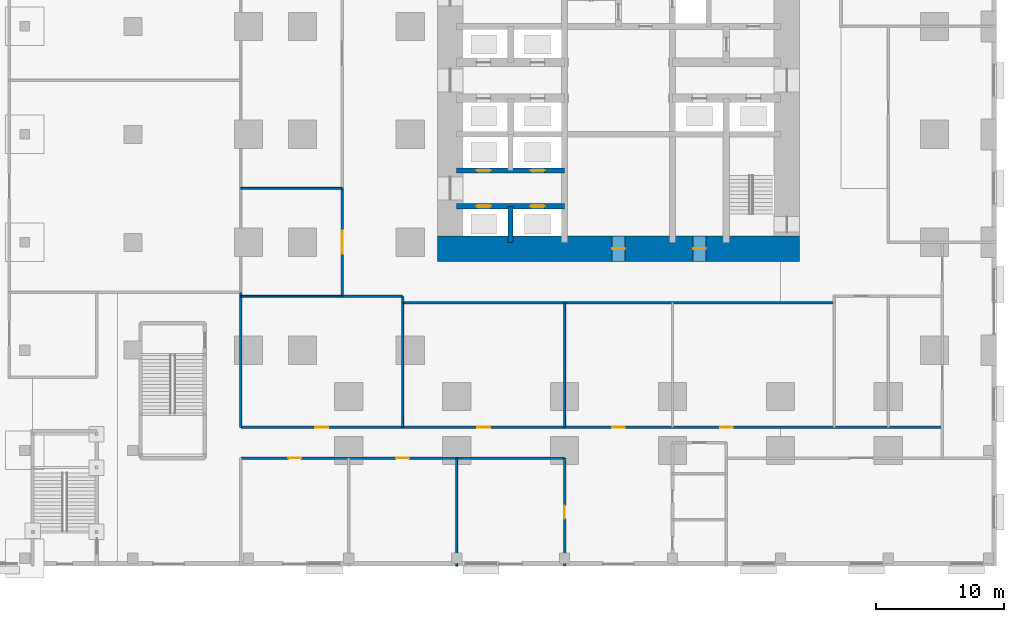
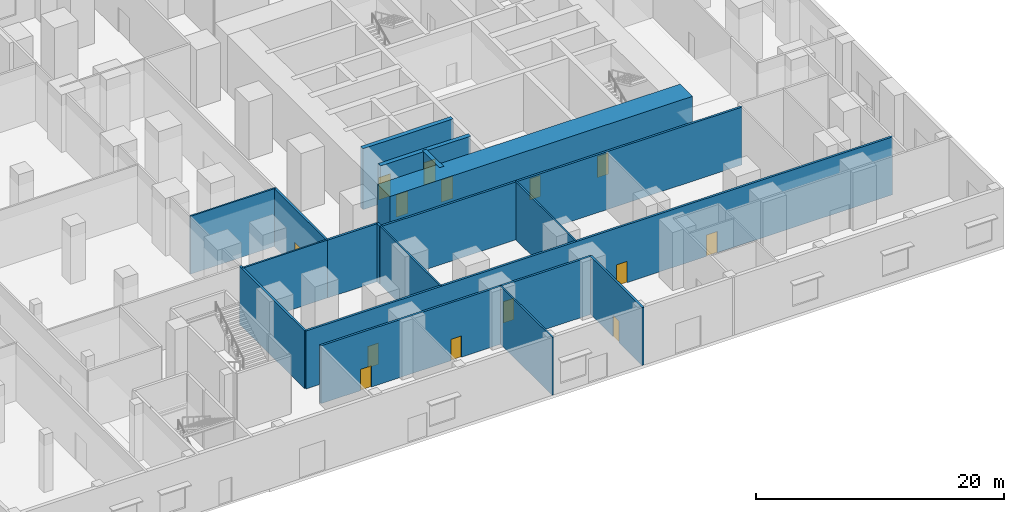
# One storey, part 16 of 26: 17 walls, 14 doors, 14 openings.
"""IFC4 building model written with IfcOpenShell, lengths in metres."""

from ifc_helpers import new_model, si_unit, direction, frame, frame_2d, origin, origin_with_axes, place, context, subcontext, project, spatial, rectangle, extrude, material, layer, layer_set, type_object, element, fill, save


model = new_model("IFC4")

# Units and contexts
model_context = context("Model", 3, precision=1e-05, world=origin(), true_north=direction((0.0, 1.0)))
body_context = subcontext(model_context, "Body", "Model", "MODEL_VIEW")
ifc_project = project(units=[si_unit("LENGTHUNIT", "METRE"), si_unit("AREAUNIT", "SQUARE_METRE"), si_unit("VOLUMEUNIT", "CUBIC_METRE"), si_unit("PLANEANGLEUNIT", "RADIAN"), si_unit("MASSUNIT", "GRAM", prefix="KILO")], contexts=[model_context])

# Site, building, storey
site_placement = place(None, origin())
site = spatial("IfcSite", under=ifc_project, at=site_placement, CompositionType="ELEMENT")
building_placement = place(site_placement, origin())
building = spatial("IfcBuilding", under=site, at=building_placement, Name="Dunama Terrace Hotel", CompositionType="ELEMENT")
storey_placement = place(building_placement, origin())
storey = spatial("IfcBuildingStorey", under=building, at=storey_placement, Name="L00", CompositionType="ELEMENT", Elevation=0.0)

# Wall
ifc_material_1 = material(Name="Concrete C50/60", Category="concrete")
ifc_layer_1 = layer(ifc_material_1, 0.39990234375)
ifc_layer_set_1 = layer_set([ifc_layer_1], Name="Core inner wall 400")
wall_type_1 = type_object("IfcWallType", Name="Core inner wall 400", PredefinedType="SHEAR", material=ifc_layer_set_1)
wall_1_placement = place(storey_placement, frame((21.0, 16.800048828125, -0.300048828125), z_axis=(0.0, 0.0, 1.0), x_axis=(0.0, 1.0, 0.0)))
element("IfcWall", 1, at=wall_1_placement, inside=storey, type_object=wall_type_1, Name="Core inner wall 400 L00", PredefinedType="SHEAR", context=body_context, shape_type="SweptSolid", body=[
    extrude(rectangle(XDim=2.800048828125, YDim=0.39990234375, at=frame_2d((1.39990234375, 0.0))), origin(), (0.0, 0.0, 1.0), 6.0),
])

# Wall, openings, doors
wall_2_placement = place(storey_placement, frame((16.800048828125, 19.60009765625, -0.300048828125), z_axis=(0.0, 0.0, 1.0), x_axis=(1.0, 0.0, 0.0)))
wall_2 = element("IfcWall", 2, at=wall_2_placement, inside=storey, type_object=wall_type_1, Name="Core inner wall 400 L00", PredefinedType="SHEAR", context=body_context, shape_type="SweptSolid", body=[
    extrude(rectangle(XDim=8.39990234375, YDim=0.39990234375, at=frame_2d((4.199951171875, 0.0))), origin(), (0.0, 0.0, 1.0), 6.0),
])
opening_1_placement = place(wall_2_placement, frame((1.550048828125, 0.0, 0.300048828125)))
opening_1 = element("IfcOpeningElement", 3, at=opening_1_placement, cuts=wall_2, Name="Opening L00-034", PredefinedType="OPENING", context=body_context, shape_type="SweptSolid", body=[
    extrude(rectangle(XDim=1.10009765625, YDim=2.199951171875, at=frame_2d((0.550048828125, 1.10009765625))), frame((0.0, 0.2099609375, 0.0), z_axis=(0.0, -1.0, 0.0), x_axis=(1.0, 0.0, 0.0)), (0.0, 0.0, 1.0), 0.419921875),
])
opening_2_placement = place(wall_2_placement, frame((5.75, 0.0, 0.300048828125)))
opening_2 = element("IfcOpeningElement", 4, at=opening_2_placement, cuts=wall_2, Name="Opening L00-035", PredefinedType="OPENING", context=body_context, shape_type="SweptSolid", body=[
    extrude(rectangle(XDim=1.10009765625, YDim=2.199951171875, at=frame_2d((0.550048828125, 1.10009765625))), frame((0.0, 0.2099609375, 0.0), z_axis=(0.0, -1.0, 0.0), x_axis=(1.0, 0.0, 0.0)), (0.0, 0.0, 1.0), 0.419921875),
])
ifc_material_2 = material(Name="Stainless steel lift door", Category="steel")
door_type_1 = type_object("IfcDoorType", Name="Lift landing door 1100", OperationType="DOUBLE_DOOR_SLIDING", PredefinedType="DOOR", material=ifc_material_2)
door_1_placement = place(opening_1_placement, origin())
door_1 = element("IfcDoor", 5, at=door_1_placement, inside=storey, type_object=door_type_1, Name="Landing door PS1 L00-034, type LD1", OperationType="DOUBLE_DOOR_SLIDING", OverallHeight=2.199951171875, OverallWidth=1.10009765625, PredefinedType="DOOR", context=body_context, shape_type="SweptSolid", body=[
    extrude(rectangle(XDim=1.10009765625, YDim=2.199951171875, at=frame_2d((0.550048828125, 1.10009765625))), frame((0.0, 0.02490234375, 0.0), z_axis=(0.0, -1.0, 0.0), x_axis=(1.0, 0.0, 0.0)), (0.0, 0.0, 1.0), 0.050048828125),
])
fill(opening_1, door_1)
door_2_placement = place(opening_2_placement, origin())
door_2 = element("IfcDoor", 6, at=door_2_placement, inside=storey, type_object=door_type_1, Name="Landing door PS2 L00-035, type LD1", OperationType="DOUBLE_DOOR_SLIDING", OverallHeight=2.199951171875, OverallWidth=1.10009765625, PredefinedType="DOOR", context=body_context, shape_type="SweptSolid", body=[
    extrude(rectangle(XDim=1.10009765625, YDim=2.199951171875, at=frame_2d((0.550048828125, 1.10009765625))), frame((0.0, 0.02490234375, 0.0), z_axis=(0.0, -1.0, 0.0), x_axis=(1.0, 0.0, 0.0)), (0.0, 0.0, 1.0), 0.050048828125),
])
fill(opening_2, door_2)

wall_3_placement = place(storey_placement, frame((16.800048828125, 22.39990234375, -0.300048828125), z_axis=(0.0, 0.0, 1.0), x_axis=(1.0, 0.0, 0.0)))
wall_3 = element("IfcWall", 7, at=wall_3_placement, inside=storey, type_object=wall_type_1, Name="Core inner wall 400 L00", PredefinedType="SHEAR", context=body_context, shape_type="SweptSolid", body=[
    extrude(rectangle(XDim=8.39990234375, YDim=0.39990234375, at=frame_2d((4.199951171875, 0.0))), origin(), (0.0, 0.0, 1.0), 6.0),
])
opening_3_placement = place(wall_3_placement, frame((1.550048828125, 0.0, 0.300048828125)))
opening_3 = element("IfcOpeningElement", 8, at=opening_3_placement, cuts=wall_3, Name="Opening L00-036", PredefinedType="OPENING", context=body_context, shape_type="SweptSolid", body=[
    extrude(rectangle(XDim=1.10009765625, YDim=2.199951171875, at=frame_2d((0.550048828125, 1.10009765625))), frame((0.0, 0.2099609375, 0.0), z_axis=(0.0, -1.0, 0.0), x_axis=(1.0, 0.0, 0.0)), (0.0, 0.0, 1.0), 0.419921875),
])
opening_4_placement = place(wall_3_placement, frame((5.75, 0.0, 0.300048828125)))
opening_4 = element("IfcOpeningElement", 9, at=opening_4_placement, cuts=wall_3, Name="Opening L00-037", PredefinedType="OPENING", context=body_context, shape_type="SweptSolid", body=[
    extrude(rectangle(XDim=1.10009765625, YDim=2.199951171875, at=frame_2d((0.550048828125, 1.10009765625))), frame((0.0, 0.2099609375, 0.0), z_axis=(0.0, -1.0, 0.0), x_axis=(1.0, 0.0, 0.0)), (0.0, 0.0, 1.0), 0.419921875),
])
door_3_placement = place(opening_3_placement, origin())
door_3 = element("IfcDoor", 10, at=door_3_placement, inside=storey, type_object=door_type_1, Name="Landing door PS3 L00-036, type LD1", OperationType="DOUBLE_DOOR_SLIDING", OverallHeight=2.199951171875, OverallWidth=1.10009765625, PredefinedType="DOOR", context=body_context, shape_type="SweptSolid", body=[
    extrude(rectangle(XDim=1.10009765625, YDim=2.199951171875, at=frame_2d((0.550048828125, 1.10009765625))), frame((0.0, 0.02490234375, 0.0), z_axis=(0.0, -1.0, 0.0), x_axis=(1.0, 0.0, 0.0)), (0.0, 0.0, 1.0), 0.050048828125),
])
fill(opening_3, door_3)
door_4_placement = place(opening_4_placement, origin())
door_4 = element("IfcDoor", 11, at=door_4_placement, inside=storey, type_object=door_type_1, Name="Landing door PS4 L00-037, type LD1", OperationType="DOUBLE_DOOR_SLIDING", OverallHeight=2.199951171875, OverallWidth=1.10009765625, PredefinedType="DOOR", context=body_context, shape_type="SweptSolid", body=[
    extrude(rectangle(XDim=1.10009765625, YDim=2.199951171875, at=frame_2d((0.550048828125, 1.10009765625))), frame((0.0, 0.02490234375, 0.0), z_axis=(0.0, -1.0, 0.0), x_axis=(1.0, 0.0, 0.0)), (0.0, 0.0, 1.0), 0.050048828125),
])
fill(opening_4, door_4)

ifc_material_3 = material(Name="Concrete C60/75", Category="concrete")
ifc_layer_2 = layer(ifc_material_3, 2.0)
ifc_layer_set_2 = layer_set([ifc_layer_2], Name="Core wall 2000")
wall_type_2 = type_object("IfcWallType", Name="Core wall 2000", PredefinedType="SHEAR", material=ifc_layer_set_2)
wall_4_placement = place(storey_placement, frame((15.300048828125, 16.300048828125, -0.300048828125), z_axis=(0.0, 0.0, 1.0), x_axis=(1.0, 0.0, 0.0)))
wall_4 = element("IfcWall", 12, at=wall_4_placement, inside=storey, type_object=wall_type_2, Name="Core wall south L00", PredefinedType="SHEAR", context=body_context, shape_type="SweptSolid", body=[
    extrude(rectangle(XDim=28.199951171875, YDim=2.0, at=frame_2d((14.10009765625, 0.0))), origin(), (0.0, 0.0, 1.0), 6.0),
])
opening_5_placement = place(wall_4_placement, frame((13.60009765625, 0.0, 0.300048828125)))
opening_5 = element("IfcOpeningElement", 13, at=opening_5_placement, cuts=wall_4, Name="Opening L00-050", PredefinedType="OPENING", context=body_context, shape_type="SweptSolid", body=[
    extrude(rectangle(XDim=1.0, YDim=2.10009765625, at=frame_2d((0.5, 1.050048828125))), frame((0.0, 1.010009765625, 0.0), z_axis=(0.0, -1.0, 0.0), x_axis=(1.0, 0.0, 0.0)), (0.0, 0.0, 1.0), 2.02001953125),
])
opening_6_placement = place(wall_4_placement, frame((19.89990234375, 0.0, 0.300048828125)))
opening_6 = element("IfcOpeningElement", 14, at=opening_6_placement, cuts=wall_4, Name="Opening L00-051", PredefinedType="OPENING", context=body_context, shape_type="SweptSolid", body=[
    extrude(rectangle(XDim=1.0, YDim=2.10009765625, at=frame_2d((0.5, 1.050048828125))), frame((0.0, 1.010009765625, 0.0), z_axis=(0.0, -1.0, 0.0), x_axis=(1.0, 0.0, 0.0)), (0.0, 0.0, 1.0), 2.02001953125),
])
ifc_material_4 = material(Name="Timber door with steel frame", Category="steel")
door_type_2 = type_object("IfcDoorType", Name="Service door 1000", OperationType="SINGLE_SWING_LEFT", PredefinedType="DOOR", material=ifc_material_4)
door_5_placement = place(opening_5_placement, origin())
door_5 = element("IfcDoor", 15, at=door_5_placement, inside=storey, type_object=door_type_2, Name="Door to floor air handling room L00-050, type D7", OperationType="SINGLE_SWING_RIGHT", OverallHeight=2.10009765625, OverallWidth=1.0, PredefinedType="DOOR", context=body_context, shape_type="SweptSolid", body=[
    extrude(rectangle(XDim=1.0, YDim=2.10009765625, at=frame_2d((0.5, 1.050048828125))), frame((0.0, 0.02490234375, 0.0), z_axis=(0.0, -1.0, 0.0), x_axis=(1.0, 0.0, 0.0)), (0.0, 0.0, 1.0), 0.050048828125),
])
fill(opening_5, door_5)
door_6_placement = place(opening_6_placement, origin())
door_6 = element("IfcDoor", 16, at=door_6_placement, inside=storey, type_object=door_type_2, Name="Door to water riser room L00-051, type D7", OperationType="SINGLE_SWING_RIGHT", OverallHeight=2.10009765625, OverallWidth=1.0, PredefinedType="DOOR", context=body_context, shape_type="SweptSolid", body=[
    extrude(rectangle(XDim=1.0, YDim=2.10009765625, at=frame_2d((0.5, 1.050048828125))), frame((0.0, 0.02490234375, 0.0), z_axis=(0.0, -1.0, 0.0), x_axis=(1.0, 0.0, 0.0)), (0.0, 0.0, 1.0), 0.050048828125),
])
fill(opening_6, door_6)

# Wall
ifc_material_5 = material(Name="Concrete blockwork", Category="masonry")
ifc_layer_3 = layer(ifc_material_5, 0.199951171875)
ifc_layer_set_3 = layer_set([ifc_layer_3], Name="Corridor partition 200")
wall_type_3 = type_object("IfcWallType", Name="Corridor partition 200", PredefinedType="PARTITIONING", material=ifc_layer_set_3)
wall_5_placement = place(storey_placement, frame((0.0, 2.39990234375, 0.0), z_axis=(0.0, 0.0, 1.0), x_axis=(0.0, 1.0, 0.0)))
element("IfcWall", 17, at=wall_5_placement, inside=storey, type_object=wall_type_3, Name="Corridor partition 200 L00", PredefinedType="PARTITIONING", context=body_context, shape_type="SweptSolid", body=[
    extrude(rectangle(XDim=10.5, YDim=0.199951171875, at=frame_2d((5.25, 0.0))), origin(), (0.0, 0.0, 1.0), 5.699951171875),
])

# Wall, opening, door
wall_6_placement = place(storey_placement, frame((7.89990234375, 12.60009765625, 0.0), z_axis=(0.0, 0.0, 1.0), x_axis=(0.0, 1.0, 0.0)))
wall_6 = element("IfcWall", 18, at=wall_6_placement, inside=storey, type_object=wall_type_3, Name="Corridor partition 200 L00", PredefinedType="PARTITIONING", context=body_context, shape_type="SweptSolid", body=[
    extrude(rectangle(XDim=8.39990234375, YDim=0.199951171875, at=frame_2d((4.199951171875, 0.0))), origin(), (0.0, 0.0, 1.0), 5.699951171875),
])
opening_7_placement = place(wall_6_placement, frame((3.300048828125, 0.0, 0.0)))
opening_7 = element("IfcOpeningElement", 19, at=opening_7_placement, cuts=wall_6, Name="Opening L00-071", PredefinedType="OPENING", context=body_context, shape_type="SweptSolid", body=[
    extrude(rectangle(XDim=1.800048828125, YDim=2.39990234375, at=frame_2d((0.89990234375, 1.199951171875))), frame((0.0, 0.10986328125, 0.0), z_axis=(0.0, -1.0, 0.0), x_axis=(1.0, 0.0, 0.0)), (0.0, 0.0, 1.0), 0.219970703125),
])
ifc_material_6 = material(Name="Aluminium-framed glazed door", Category="aluminium")
door_type_3 = type_object("IfcDoorType", Name="Glazed double door 1800", OperationType="DOUBLE_DOOR_DOUBLE_SWING", PredefinedType="DOOR", material=ifc_material_6)
door_7_placement = place(opening_7_placement, origin())
door_7 = element("IfcDoor", 20, at=door_7_placement, inside=storey, type_object=door_type_3, Name="Door to patisserie retail shop L00-071, type D8", OperationType="DOUBLE_DOOR_DOUBLE_SWING", OverallHeight=2.39990234375, OverallWidth=1.800048828125, PredefinedType="DOOR", context=body_context, shape_type="SweptSolid", body=[
    extrude(rectangle(XDim=1.800048828125, YDim=2.39990234375, at=frame_2d((0.89990234375, 1.199951171875))), frame((0.0, 0.02490234375, 0.0), z_axis=(0.0, -1.0, 0.0), x_axis=(1.0, 0.0, 0.0)), (0.0, 0.0, 1.0), 0.050048828125),
])
fill(opening_7, door_7)

# Wall
wall_7_placement = place(storey_placement, frame((12.60009765625, 12.10009765625, 0.0), z_axis=(0.0, 0.0, 1.0), x_axis=(0.0, 1.0, 0.0)))
element("IfcWall", 21, at=wall_7_placement, inside=storey, type_object=wall_type_3, Name="Corridor partition 200 L00", PredefinedType="PARTITIONING", context=body_context, shape_type="SweptSolid", body=[
    extrude(rectangle(XDim=0.5, YDim=0.199951171875, at=frame_2d((0.25, 0.0))), origin(), (0.0, 0.0, 1.0), 5.699951171875),
])

# Wall, opening, door
wall_8_placement = place(storey_placement, frame((25.199951171875, -8.39990234375, 0.0), z_axis=(0.0, 0.0, 1.0), x_axis=(0.0, 1.0, 0.0)))
wall_8 = element("IfcWall", 22, at=wall_8_placement, inside=storey, type_object=wall_type_3, Name="Corridor partition 200 L00", PredefinedType="PARTITIONING", context=body_context, shape_type="SweptSolid", body=[
    extrude(rectangle(XDim=8.39990234375, YDim=0.199951171875, at=frame_2d((4.199951171875, 0.0))), origin(), (0.0, 0.0, 1.0), 5.699951171875),
])
opening_8_placement = place(wall_8_placement, frame((3.699951171875, 0.0, 0.0)))
opening_8 = element("IfcOpeningElement", 23, at=opening_8_placement, cuts=wall_8, Name="Opening L00-057", PredefinedType="OPENING", context=body_context, shape_type="SweptSolid", body=[
    extrude(rectangle(XDim=1.0, YDim=2.10009765625, at=frame_2d((0.5, 1.050048828125))), frame((0.0, 0.10986328125, 0.0), z_axis=(0.0, -1.0, 0.0), x_axis=(1.0, 0.0, 0.0)), (0.0, 0.0, 1.0), 0.219970703125),
])
door_8_placement = place(opening_8_placement, origin())
door_8 = element("IfcDoor", 24, at=door_8_placement, inside=storey, type_object=door_type_2, Name="Door to staff entrance and security L00-057, type D7", OperationType="SINGLE_SWING_LEFT", OverallHeight=2.10009765625, OverallWidth=1.0, PredefinedType="DOOR", context=body_context, shape_type="SweptSolid", body=[
    extrude(rectangle(XDim=1.0, YDim=2.10009765625, at=frame_2d((0.5, 1.050048828125))), frame((0.0, 0.02490234375, 0.0), z_axis=(0.0, -1.0, 0.0), x_axis=(1.0, 0.0, 0.0)), (0.0, 0.0, 1.0), 0.050048828125),
])
fill(opening_8, door_8)

# Wall, openings, doors
wall_9_placement = place(storey_placement, origin_with_axes())
wall_9 = element("IfcWall", 25, at=wall_9_placement, inside=storey, type_object=wall_type_3, Name="Corridor partition 200 L00", PredefinedType="PARTITIONING", context=body_context, shape_type="SweptSolid", body=[
    extrude(rectangle(XDim=25.199951171875, YDim=0.199951171875, at=frame_2d((12.60009765625, 0.0))), origin(), (0.0, 0.0, 1.0), 5.699951171875),
])
opening_9_placement = place(wall_9_placement, frame((3.699951171875, 0.0, 0.0)))
opening_9 = element("IfcOpeningElement", 26, at=opening_9_placement, cuts=wall_9, Name="Opening L00-055", PredefinedType="OPENING", context=body_context, shape_type="SweptSolid", body=[
    extrude(rectangle(XDim=1.0, YDim=2.10009765625, at=frame_2d((0.5, 1.050048828125))), frame((0.0, 0.10986328125, 0.0), z_axis=(0.0, -1.0, 0.0), x_axis=(1.0, 0.0, 0.0)), (0.0, 0.0, 1.0), 0.219970703125),
])
opening_10_placement = place(wall_9_placement, frame((12.10009765625, 0.0, 0.0)))
opening_10 = element("IfcOpeningElement", 27, at=opening_10_placement, cuts=wall_9, Name="Opening L00-056", PredefinedType="OPENING", context=body_context, shape_type="SweptSolid", body=[
    extrude(rectangle(XDim=1.0, YDim=2.10009765625, at=frame_2d((0.5, 1.050048828125))), frame((0.0, 0.10986328125, 0.0), z_axis=(0.0, -1.0, 0.0), x_axis=(1.0, 0.0, 0.0)), (0.0, 0.0, 1.0), 0.219970703125),
])
door_9_placement = place(opening_9_placement, frame((1.0, 0.0, 0.0), z_axis=(0.0, 0.0, 1.0), x_axis=(-1.0, 0.0, 0.0)))
door_9 = element("IfcDoor", 28, at=door_9_placement, inside=storey, type_object=door_type_2, Name="Door to fire command centre L00-055, type D7", OperationType="SINGLE_SWING_RIGHT", OverallHeight=2.10009765625, OverallWidth=1.0, PredefinedType="DOOR", context=body_context, shape_type="SweptSolid", body=[
    extrude(rectangle(XDim=1.0, YDim=2.10009765625, at=frame_2d((0.5, 1.050048828125))), frame((0.0, 0.025146484375, 0.0), z_axis=(0.0, -1.0, 0.0), x_axis=(1.0, 0.0, 0.0)), (0.0, 0.0, 1.0), 0.050048828125),
])
fill(opening_9, door_9)
door_10_placement = place(opening_10_placement, frame((1.0, 0.0, 0.0), z_axis=(0.0, 0.0, 1.0), x_axis=(-1.0, 0.0, 0.0)))
door_10 = element("IfcDoor", 29, at=door_10_placement, inside=storey, type_object=door_type_2, Name="Door to luggage store L00-056, type D7", OperationType="SINGLE_SWING_RIGHT", OverallHeight=2.10009765625, OverallWidth=1.0, PredefinedType="DOOR", context=body_context, shape_type="SweptSolid", body=[
    extrude(rectangle(XDim=1.0, YDim=2.10009765625, at=frame_2d((0.5, 1.050048828125))), frame((0.0, 0.025146484375, 0.0), z_axis=(0.0, -1.0, 0.0), x_axis=(1.0, 0.0, 0.0)), (0.0, 0.0, 1.0), 0.050048828125),
])
fill(opening_10, door_10)

wall_10_placement = place(storey_placement, frame((0.0, 2.39990234375, 0.0), z_axis=(0.0, 0.0, 1.0), x_axis=(1.0, 0.0, 0.0)))
wall_10 = element("IfcWall", 30, at=wall_10_placement, inside=storey, type_object=wall_type_3, Name="Corridor partition 200 L00", PredefinedType="PARTITIONING", context=body_context, shape_type="SweptSolid", body=[
    extrude(rectangle(XDim=54.60009765625, YDim=0.199951171875, at=frame_2d((27.300048828125, 0.0))), origin(), (0.0, 0.0, 1.0), 5.699951171875),
])
opening_11_placement = place(wall_10_placement, frame((5.800048828125, 0.0, 0.0)))
opening_11 = element("IfcOpeningElement", 31, at=opening_11_placement, cuts=wall_10, Name="Opening L00-073", PredefinedType="OPENING", context=body_context, shape_type="SweptSolid", body=[
    extrude(rectangle(XDim=1.0, YDim=2.10009765625, at=frame_2d((0.5, 1.050048828125))), frame((0.0, 0.10986328125, 0.0), z_axis=(0.0, -1.0, 0.0), x_axis=(1.0, 0.0, 0.0)), (0.0, 0.0, 1.0), 0.219970703125),
])
opening_12_placement = place(wall_10_placement, frame((18.39990234375, 0.0, 0.0)))
opening_12 = element("IfcOpeningElement", 32, at=opening_12_placement, cuts=wall_10, Name="Opening L00-074", PredefinedType="OPENING", context=body_context, shape_type="SweptSolid", body=[
    extrude(rectangle(XDim=1.0, YDim=2.10009765625, at=frame_2d((0.5, 1.050048828125))), frame((0.0, 0.10986328125, 0.0), z_axis=(0.0, -1.0, 0.0), x_axis=(1.0, 0.0, 0.0)), (0.0, 0.0, 1.0), 0.219970703125),
])
opening_13_placement = place(wall_10_placement, frame((28.89990234375, 0.0, 0.0)))
opening_13 = element("IfcOpeningElement", 33, at=opening_13_placement, cuts=wall_10, Name="Opening L00-075", PredefinedType="OPENING", context=body_context, shape_type="SweptSolid", body=[
    extrude(rectangle(XDim=1.0, YDim=2.10009765625, at=frame_2d((0.5, 1.050048828125))), frame((0.0, 0.10986328125, 0.0), z_axis=(0.0, -1.0, 0.0), x_axis=(1.0, 0.0, 0.0)), (0.0, 0.0, 1.0), 0.219970703125),
])
opening_14_placement = place(wall_10_placement, frame((37.300048828125, 0.0, 0.0)))
opening_14 = element("IfcOpeningElement", 34, at=opening_14_placement, cuts=wall_10, Name="Opening L00-076", PredefinedType="OPENING", context=body_context, shape_type="SweptSolid", body=[
    extrude(rectangle(XDim=1.0, YDim=2.10009765625, at=frame_2d((0.5, 1.050048828125))), frame((0.0, 0.10986328125, 0.0), z_axis=(0.0, -1.0, 0.0), x_axis=(1.0, 0.0, 0.0)), (0.0, 0.0, 1.0), 0.219970703125),
])
door_11_placement = place(opening_11_placement, origin())
door_11 = element("IfcDoor", 35, at=door_11_placement, inside=storey, type_object=door_type_2, Name="Door to concierge office L00-073, type D7", OperationType="SINGLE_SWING_RIGHT", OverallHeight=2.10009765625, OverallWidth=1.0, PredefinedType="DOOR", context=body_context, shape_type="SweptSolid", body=[
    extrude(rectangle(XDim=1.0, YDim=2.10009765625, at=frame_2d((0.5, 1.050048828125))), frame((0.0, 0.02490234375, 0.0), z_axis=(0.0, -1.0, 0.0), x_axis=(1.0, 0.0, 0.0)), (0.0, 0.0, 1.0), 0.050048828125),
])
fill(opening_11, door_11)
door_12_placement = place(opening_12_placement, origin())
door_12 = element("IfcDoor", 36, at=door_12_placement, inside=storey, type_object=door_type_2, Name="Door to guest relations office L00-074, type D7", OperationType="SINGLE_SWING_LEFT", OverallHeight=2.10009765625, OverallWidth=1.0, PredefinedType="DOOR", context=body_context, shape_type="SweptSolid", body=[
    extrude(rectangle(XDim=1.0, YDim=2.10009765625, at=frame_2d((0.5, 1.050048828125))), frame((0.0, 0.02490234375, 0.0), z_axis=(0.0, -1.0, 0.0), x_axis=(1.0, 0.0, 0.0)), (0.0, 0.0, 1.0), 0.050048828125),
])
fill(opening_12, door_12)
door_13_placement = place(opening_13_placement, origin())
door_13 = element("IfcDoor", 37, at=door_13_placement, inside=storey, type_object=door_type_2, Name="Door to tour and travel office L00-075, type D7", OperationType="SINGLE_SWING_LEFT", OverallHeight=2.10009765625, OverallWidth=1.0, PredefinedType="DOOR", context=body_context, shape_type="SweptSolid", body=[
    extrude(rectangle(XDim=1.0, YDim=2.10009765625, at=frame_2d((0.5, 1.050048828125))), frame((0.0, 0.02490234375, 0.0), z_axis=(0.0, -1.0, 0.0), x_axis=(1.0, 0.0, 0.0)), (0.0, 0.0, 1.0), 0.050048828125),
])
fill(opening_13, door_13)
door_14_placement = place(opening_14_placement, origin())
door_14 = element("IfcDoor", 38, at=door_14_placement, inside=storey, type_object=door_type_2, Name="Door to bell captain and luggage office L00-076, type D7", OperationType="SINGLE_SWING_LEFT", OverallHeight=2.10009765625, OverallWidth=1.0, PredefinedType="DOOR", context=body_context, shape_type="SweptSolid", body=[
    extrude(rectangle(XDim=1.0, YDim=2.10009765625, at=frame_2d((0.5, 1.050048828125))), frame((0.0, 0.02490234375, 0.0), z_axis=(0.0, -1.0, 0.0), x_axis=(1.0, 0.0, 0.0)), (0.0, 0.0, 1.0), 0.050048828125),
])
fill(opening_14, door_14)

# Walls
wall_11_placement = place(storey_placement, frame((12.60009765625, 12.10009765625, 0.0), z_axis=(0.0, 0.0, 1.0), x_axis=(1.0, 0.0, 0.0)))
element("IfcWall", 39, at=wall_11_placement, inside=storey, type_object=wall_type_3, Name="Corridor partition 200 L00", PredefinedType="PARTITIONING", context=body_context, shape_type="SweptSolid", body=[
    extrude(rectangle(XDim=33.599853515625, YDim=0.199951171875, at=frame_2d((16.7998046875, 0.0))), origin(), (0.0, 0.0, 1.0), 5.699951171875),
])
wall_12_placement = place(storey_placement, frame((7.89990234375, 12.60009765625, 0.0), z_axis=(0.0, 0.0, 1.0), x_axis=(1.0, 0.0, 0.0)))
element("IfcWall", 40, at=wall_12_placement, inside=storey, type_object=wall_type_3, Name="Corridor partition 200 L00", PredefinedType="PARTITIONING", context=body_context, shape_type="SweptSolid", body=[
    extrude(rectangle(XDim=4.7001953125, YDim=0.199951171875, at=frame_2d((2.35009765625, 0.0))), origin(), (0.0, 0.0, 1.0), 5.699951171875),
])
ifc_material_7 = material(Name="Gypsum board partition", Category="masonry")
ifc_layer_4 = layer(ifc_material_7, 0.14990234375)
ifc_layer_set_4 = layer_set([ifc_layer_4], Name="Room partition 150")
wall_type_4 = type_object("IfcWallType", Name="Room partition 150", PredefinedType="PARTITIONING", material=ifc_layer_set_4)
wall_13_placement = place(storey_placement, frame((12.60009765625, 2.39990234375, 0.0), z_axis=(0.0, 0.0, 1.0), x_axis=(0.0, 1.0, 0.0)))
element("IfcWall", 41, at=wall_13_placement, inside=storey, type_object=wall_type_4, Name="Room partition 150 L00", PredefinedType="PARTITIONING", context=body_context, shape_type="SweptSolid", body=[
    extrude(rectangle(XDim=9.7001953125, YDim=0.14990234375, at=frame_2d((4.85009765625, 0.0))), origin(), (0.0, 0.0, 1.0), 5.699951171875),
])
wall_14_placement = place(storey_placement, frame((16.800048828125, -8.39990234375, 0.0), z_axis=(0.0, 0.0, 1.0), x_axis=(0.0, 1.0, 0.0)))
element("IfcWall", 42, at=wall_14_placement, inside=storey, type_object=wall_type_4, Name="Room partition 150 L00", PredefinedType="PARTITIONING", context=body_context, shape_type="SweptSolid", body=[
    extrude(rectangle(XDim=8.39990234375, YDim=0.14990234375, at=frame_2d((4.199951171875, 0.0))), origin(), (0.0, 0.0, 1.0), 5.699951171875),
])
wall_15_placement = place(storey_placement, frame((25.199951171875, 2.39990234375, 0.0), z_axis=(0.0, 0.0, 1.0), x_axis=(0.0, 1.0, 0.0)))
element("IfcWall", 43, at=wall_15_placement, inside=storey, type_object=wall_type_4, Name="Room partition 150 L00", PredefinedType="PARTITIONING", context=body_context, shape_type="SweptSolid", body=[
    extrude(rectangle(XDim=9.7001953125, YDim=0.14990234375, at=frame_2d((4.85009765625, 0.0))), origin(), (0.0, 0.0, 1.0), 5.699951171875),
])
for number, where, z_axis, x_axis, name in (
    (44, (0.0, 12.60009765625, 0.0), (0.0, 0.0, 1.0), (1.0, 0.0, 0.0), "Room partition 150 L00"),
    (45, (0.0, 21.0, 0.0), (0.0, 0.0, 1.0), (1.0, 0.0, 0.0), "Room partition 150 L00"),
):
    element("IfcWall", number, at=place(storey_placement, frame(where, z_axis=z_axis, x_axis=x_axis)), inside=storey, type_object=wall_type_4, Name=name, PredefinedType="PARTITIONING", context=body_context, shape_type="SweptSolid", body=[
        extrude(rectangle(XDim=7.89990234375, YDim=0.14990234375, at=frame_2d((3.949951171875, 0.0))), origin(), (0.0, 0.0, 1.0), 5.699951171875),
    ])

save(model, "model.ifc")
